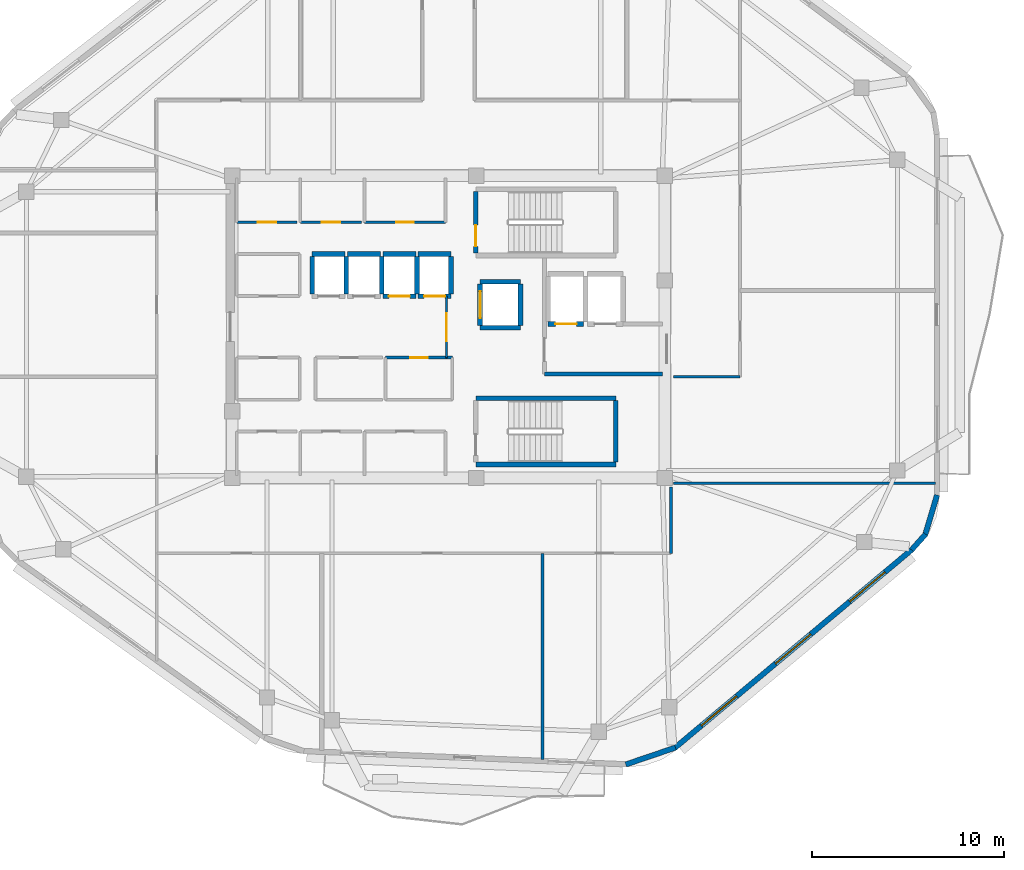
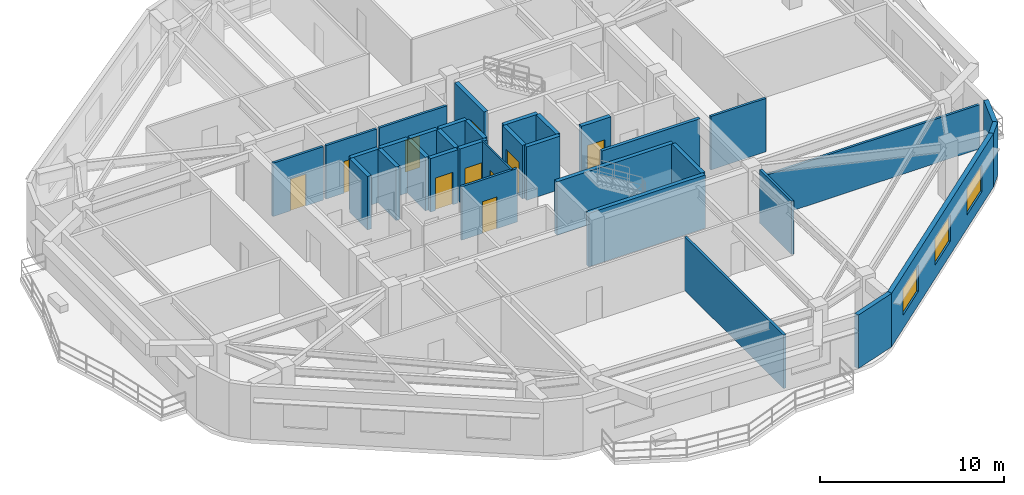
# One storey, part 7 of 12: 34 walls, 10 doors, 3 windows, 13 openings.
"""IFC4 building model written with IfcOpenShell, lengths in metres."""

from ifc_helpers import new_model, si_unit, direction, frame, frame_2d, origin, place, context, subcontext, project, spatial, rectangle, extrude, material, layer, layer_set, type_object, element, fill, save


model = new_model("IFC4")

# Units and contexts
model_context = context("Model", 3, precision=1e-05, world=origin(), true_north=direction((0.0, 1.0)))
body_context = subcontext(model_context, "Body", "Model", "MODEL_VIEW")
ifc_project = project(units=[si_unit("LENGTHUNIT", "METRE"), si_unit("AREAUNIT", "SQUARE_METRE"), si_unit("VOLUMEUNIT", "CUBIC_METRE"), si_unit("PLANEANGLEUNIT", "RADIAN"), si_unit("MASSUNIT", "GRAM", prefix="KILO")], contexts=[model_context])

# Site, building, storey
site_placement = place(None, origin())
site = spatial("IfcSite", under=ifc_project, at=site_placement, CompositionType="ELEMENT")
building_placement = place(site_placement, origin())
building = spatial("IfcBuilding", under=site, at=building_placement, Name="Zulverin Broadcast Headquarters", CompositionType="ELEMENT")
storey_placement = place(building_placement, frame((0.0, 0.0, 285.800048828125)))
storey = spatial("IfcBuildingStorey", under=building, at=storey_placement, Name="L73", CompositionType="ELEMENT", Elevation=285.800048828125)

# Wall, openings, windows
ifc_material_1 = material(Name="Insulated pale-metal clad concrete spandrel C40/50", Category="concrete")
ifc_layer_1 = layer(ifc_material_1, 0.280029296875, Name="Insulated pale-metal clad concrete spandrel C40/50", Category="concrete")
ifc_layer_set_1 = layer_set([ifc_layer_1], Name="Insulated pale-metal clad concrete spandrel C40/50")
wall_type_1 = type_object("IfcWallType", Name="WL-EXT-280", PredefinedType="STANDARD", material=ifc_layer_set_1)
wall_1_placement = place(storey_placement, frame((48.788818359375, 3.249755859375, 0.0), z_axis=(0.0, 0.0, 1.0), x_axis=(0.767032672101, 0.641608042288, 0.0)))
wall_1 = element("IfcWall", 1, at=wall_1_placement, inside=storey, type_object=wall_type_1, Name="L73 Pale-Metal Clad Spandrel Wall 2", PredefinedType="STANDARD", context=body_context, shape_type="SweptSolid", body=[
    extrude(rectangle(XDim=16.11328125, YDim=0.280029296875, at=frame_2d((8.056640625, 0.0))), origin(), (0.0, 0.0, 1.0), 3.5400390625),
])
opening_1_placement = place(wall_1_placement, frame((1.81884765625, 0.0, 0.89990234375)))
opening_1 = element("IfcOpeningElement", 2, at=opening_1_placement, cuts=wall_1, Name="Opening W-L73-E21", PredefinedType="OPENING", context=body_context, shape_type="SweptSolid", body=[
    extrude(rectangle(XDim=2.39990234375, YDim=1.75, at=frame_2d((1.199951171875, 0.875))), frame((0.0, 0.14990234375, 0.0), z_axis=(0.0, -1.0, 0.0), x_axis=(1.0, 0.0, 0.0)), (0.0, 0.0, 1.0), 0.300048828125),
])
opening_2_placement = place(wall_1_placement, frame((6.856689453125, 0.0, 0.89990234375)))
opening_2 = element("IfcOpeningElement", 3, at=opening_2_placement, cuts=wall_1, Name="Opening W-L73-E22", PredefinedType="OPENING", context=body_context, shape_type="SweptSolid", body=[
    extrude(rectangle(XDim=2.39990234375, YDim=1.75, at=frame_2d((1.199951171875, 0.875))), frame((0.0, 0.14990234375, 0.0), z_axis=(0.0, -1.0, 0.0), x_axis=(1.0, 0.0, 0.0)), (0.0, 0.0, 1.0), 0.300048828125),
])
opening_3_placement = place(wall_1_placement, frame((11.89453125, 0.0, 0.89990234375)))
opening_3 = element("IfcOpeningElement", 4, at=opening_3_placement, cuts=wall_1, Name="Opening W-L73-E23", PredefinedType="OPENING", context=body_context, shape_type="SweptSolid", body=[
    extrude(rectangle(XDim=2.39990234375, YDim=1.75, at=frame_2d((1.199951171875, 0.875))), frame((0.0, 0.14990234375, 0.0), z_axis=(0.0, -1.0, 0.0), x_axis=(1.0, 0.0, 0.0)), (0.0, 0.0, 1.0), 0.300048828125),
])
ifc_material_2 = material(Name="Pale anodized aluminium frame with solar-control low-E double glazing", Category="aluminium")
window_type = type_object("IfcWindowType", Name="WIN-RIB-2400", PartitioningType="SINGLE_PANEL", PredefinedType="WINDOW", material=ifc_material_2)
window_1_placement = place(opening_1_placement, origin())
window_1 = element("IfcWindow", 5, at=window_1_placement, inside=storey, type_object=window_type, Name="L73 Ribbon Glazing Window 2 1", OverallHeight=1.75, OverallWidth=2.39990234375, PartitioningType="SINGLE_PANEL", PredefinedType="WINDOW", context=body_context, shape_type="SweptSolid", body=[
    extrude(rectangle(XDim=2.39990234375, YDim=1.75, at=frame_2d((1.199951171875, 0.875))), frame((0.0, 0.030029296875, 0.0), z_axis=(0.0, -1.0, 0.0), x_axis=(1.0, 0.0, 0.0)), (0.0, 0.0, 1.0), 0.06005859375),
])
fill(opening_1, window_1)
window_2_placement = place(opening_2_placement, origin())
window_2 = element("IfcWindow", 6, at=window_2_placement, inside=storey, type_object=window_type, Name="L73 Ribbon Glazing Window 2 2", OverallHeight=1.75, OverallWidth=2.39990234375, PartitioningType="SINGLE_PANEL", PredefinedType="WINDOW", context=body_context, shape_type="SweptSolid", body=[
    extrude(rectangle(XDim=2.39990234375, YDim=1.75, at=frame_2d((1.199951171875, 0.875))), frame((0.0, 0.030029296875, 0.0), z_axis=(0.0, -1.0, 0.0), x_axis=(1.0, 0.0, 0.0)), (0.0, 0.0, 1.0), 0.06005859375),
])
fill(opening_2, window_2)
window_3_placement = place(opening_3_placement, origin())
window_3 = element("IfcWindow", 7, at=window_3_placement, inside=storey, type_object=window_type, Name="L73 Ribbon Glazing Window 2 3", OverallHeight=1.75, OverallWidth=2.39990234375, PartitioningType="SINGLE_PANEL", PredefinedType="WINDOW", context=body_context, shape_type="SweptSolid", body=[
    extrude(rectangle(XDim=2.39990234375, YDim=1.75, at=frame_2d((1.199951171875, 0.875))), frame((0.0, 0.030029296875, 0.0), z_axis=(0.0, -1.0, 0.0), x_axis=(1.0, 0.0, 0.0)), (0.0, 0.0, 1.0), 0.06005859375),
])
fill(opening_3, window_3)

# Walls
wall_2_placement = place(storey_placement, frame((46.239501953125, 2.392822265625, 0.0), z_axis=(0.0, 0.0, 1.0), x_axis=(0.946759165502, 0.321942669643, 0.0)))
element("IfcWall", 8, at=wall_2_placement, inside=storey, type_object=wall_type_1, Name="L73 Wind-Shaped Corner Spandrel Wall 1-1", PredefinedType="STANDARD", context=body_context, shape_type="SweptSolid", body=[
    extrude(rectangle(XDim=2.73974609375, YDim=0.280029296875, at=frame_2d((1.369873046875, 0.0))), origin(), (0.0, 0.0, 1.0), 3.5400390625),
])
wall_3_placement = place(storey_placement, frame((61.133544921875, 13.573974609375, 0.0), z_axis=(0.0, 0.0, 1.0), x_axis=(0.665804679247, 0.74612608123, 0.0)))
element("IfcWall", 9, at=wall_3_placement, inside=storey, type_object=wall_type_1, Name="L73 Wind-Shaped Corner Spandrel Wall 2-1", PredefinedType="STANDARD", context=body_context, shape_type="SweptSolid", body=[
    extrude(rectangle(XDim=1.103271484375, YDim=0.280029296875, at=frame_2d((0.5517578125, 0.0))), origin(), (0.0, 0.0, 1.0), 3.5400390625),
])
wall_4_placement = place(storey_placement, frame((61.838623046875, 14.34423828125, 0.0), z_axis=(0.0, 0.0, 1.0), x_axis=(0.287235049694, 0.957860128739, 0.0)))
element("IfcWall", 10, at=wall_4_placement, inside=storey, type_object=wall_type_1, Name="L73 Wind-Shaped Corner Spandrel Wall 2-2", PredefinedType="STANDARD", context=body_context, shape_type="SweptSolid", body=[
    extrude(rectangle(XDim=2.18359375, YDim=0.280029296875, at=frame_2d((1.091796875, 0.0))), origin(), (0.0, 0.0, 1.0), 3.5400390625),
])
ifc_material_3 = material(Name="Concrete C40/50", Category="concrete")
ifc_layer_2 = layer(ifc_material_3, 0.199951171875, Name="Concrete C40/50", Category="concrete")
ifc_layer_set_2 = layer_set([ifc_layer_2], Name="Concrete C40/50")
wall_type_2 = type_object("IfcWallType", Name="WL-FFL-200", PredefinedType="SOLIDWALL", material=ifc_layer_set_2)
wall_5_placement = place(storey_placement, frame((42.0, 22.75, 0.0), z_axis=(0.0, 0.0, 1.0), x_axis=(1.0, 0.0, 0.0)))
element("IfcWall", 11, at=wall_5_placement, inside=storey, type_object=wall_type_2, Name="L73 Firefighting Lift Lobby South Wall", PredefinedType="SOLIDWALL", context=body_context, shape_type="SweptSolid", body=[
    extrude(rectangle(XDim=6.14990234375, YDim=0.199951171875, at=frame_2d((3.074951171875, 0.0))), origin(), (0.0, 0.0, 1.0), 3.5400390625),
])

# Wall, opening, door
ifc_material_4 = material(Name="Fire-rated acoustic laminated glass screen", Category="glass")
ifc_layer_3 = layer(ifc_material_4, 0.10009765625, Name="Fire-rated acoustic laminated glass screen", Category="glass")
ifc_layer_set_3 = layer_set([ifc_layer_3], Name="Fire-rated acoustic laminated glass screen")
wall_type_3 = type_object("IfcWallType", Name="WL-GLAZ-100", PredefinedType="PARTITIONING", material=ifc_layer_set_3)
wall_6_placement = place(storey_placement, frame((36.89990234375, 23.60009765625, 0.0), z_axis=(0.0, 0.0, 1.0), x_axis=(0.0, 1.0, 0.0)))
wall_6 = element("IfcWall", 12, at=wall_6_placement, inside=storey, type_object=wall_type_3, Name="L73 Core Goods & Stair Hall Screen", PredefinedType="PARTITIONING", context=body_context, shape_type="SweptSolid", body=[
    extrude(rectangle(XDim=3.199951171875, YDim=0.10009765625, at=frame_2d((1.60009765625, 0.0))), origin(), (0.0, 0.0, 1.0), 3.5400390625),
])
opening_4_placement = place(wall_6_placement, frame((0.85009765625, 0.0, 0.0)))
opening_4 = element("IfcOpeningElement", 13, at=opening_4_placement, cuts=wall_6, Name="Opening D-L73-CL3", PredefinedType="OPENING", context=body_context, shape_type="SweptSolid", body=[
    extrude(rectangle(XDim=1.449951171875, YDim=2.1201171875, at=frame_2d((0.72509765625, 1.06005859375))), frame((0.0, 0.06005859375, 0.0), z_axis=(0.0, -1.0, 0.0), x_axis=(1.0, 0.0, 0.0)), (0.0, 0.0, 1.0), 0.1201171875),
])
ifc_material_5 = material(Name="Fire-rated acoustic glazed double leaf", Category="glass")
door_type_1 = type_object("IfcDoorType", Name="DR-GLZ-1450", OperationType="DOUBLE_DOOR_SINGLE_SWING", PredefinedType="DOOR", material=ifc_material_5)
door_1_placement = place(opening_4_placement, origin())
door_1 = element("IfcDoor", 14, at=door_1_placement, inside=storey, type_object=door_type_1, Name="L73 Core Goods & Stair Hall Door", OperationType="DOUBLE_DOOR_SINGLE_SWING", OverallHeight=2.1201171875, OverallWidth=1.449951171875, PredefinedType="DOOR", context=body_context, shape_type="SweptSolid", body=[
    extrude(rectangle(XDim=1.449951171875, YDim=2.1201171875, at=frame_2d((0.72509765625, 1.06005859375))), frame((0.0, 0.02490234375, 0.0), z_axis=(0.0, -1.0, 0.0), x_axis=(1.0, 0.0, 0.0)), (0.0, 0.0, 1.0), 0.050048828125),
])
fill(opening_4, door_1)

ifc_material_6 = material(Name="Fire-rated gypsum stud partition", Category="gypsum")
ifc_layer_4 = layer(ifc_material_6, 0.14990234375, Name="Fire-rated gypsum stud partition", Category="gypsum")
ifc_layer_set_4 = layer_set([ifc_layer_4], Name="Fire-rated gypsum stud partition")
wall_type_4 = type_object("IfcWallType", Name="WL-PART-150", PredefinedType="PARTITIONING", material=ifc_layer_set_4)
wall_7_placement = place(storey_placement, frame((25.969970703125, 30.64990234375, 0.0), z_axis=(0.0, 0.0, 1.0), x_axis=(1.0, 0.0, 0.0)))
wall_7 = element("IfcWall", 15, at=wall_7_placement, inside=storey, type_object=wall_type_4, Name="L73 Core Male WC Front Wall", PredefinedType="PARTITIONING", context=body_context, shape_type="SweptSolid", body=[
    extrude(rectangle(XDim=3.150146484375, YDim=0.14990234375, at=frame_2d((1.5751953125, 0.0))), origin(), (0.0, 0.0, 1.0), 3.5400390625),
])
opening_5_placement = place(wall_7_placement, frame((1.10009765625, 0.0, 0.0)))
opening_5 = element("IfcOpeningElement", 16, at=opening_5_placement, cuts=wall_7, Name="Opening D-L73-NC1", PredefinedType="OPENING", context=body_context, shape_type="SweptSolid", body=[
    extrude(rectangle(XDim=0.949951171875, YDim=2.10009765625, at=frame_2d((0.47509765625, 1.050048828125))), frame((0.0, 0.0849609375, 0.0), z_axis=(0.0, -1.0, 0.0), x_axis=(1.0, 0.0, 0.0)), (0.0, 0.0, 1.0), 0.169921875),
])
ifc_material_7 = material(Name="Fire-rated moisture-resistant laminate leaf", Category="wood")
door_type_2 = type_object("IfcDoorType", Name="DR-WC-950", OperationType="SINGLE_SWING_LEFT", PredefinedType="DOOR", material=ifc_material_7)
door_2_placement = place(opening_5_placement, origin())
door_2 = element("IfcDoor", 17, at=door_2_placement, inside=storey, type_object=door_type_2, Name="L73 Male WC Door", OperationType="SINGLE_SWING_LEFT", OverallHeight=2.10009765625, OverallWidth=0.949951171875, PredefinedType="DOOR", context=body_context, shape_type="SweptSolid", body=[
    extrude(rectangle(XDim=0.949951171875, YDim=2.10009765625, at=frame_2d((0.47509765625, 1.050048828125))), frame((0.0, 0.02490234375, 0.0), z_axis=(0.0, -1.0, 0.0), x_axis=(1.0, 0.0, 0.0)), (0.0, 0.0, 1.0), 0.050048828125),
])
fill(opening_5, door_2)

wall_8_placement = place(storey_placement, frame((29.280029296875, 30.64990234375, 0.0), z_axis=(0.0, 0.0, 1.0), x_axis=(1.0, 0.0, 0.0)))
wall_8 = element("IfcWall", 18, at=wall_8_placement, inside=storey, type_object=wall_type_4, Name="L73 Core Accessible WC Front Wall", PredefinedType="PARTITIONING", context=body_context, shape_type="SweptSolid", body=[
    extrude(rectangle(XDim=3.18994140625, YDim=0.14990234375, at=frame_2d((1.594970703125, 0.0))), origin(), (0.0, 0.0, 1.0), 3.5400390625),
])
opening_6_placement = place(wall_8_placement, frame((1.1201171875, 0.0, 0.0)))
opening_6 = element("IfcOpeningElement", 19, at=opening_6_placement, cuts=wall_8, Name="Opening D-L73-NC2", PredefinedType="OPENING", context=body_context, shape_type="SweptSolid", body=[
    extrude(rectangle(XDim=0.949951171875, YDim=2.10009765625, at=frame_2d((0.47509765625, 1.050048828125))), frame((0.0, 0.0849609375, 0.0), z_axis=(0.0, -1.0, 0.0), x_axis=(1.0, 0.0, 0.0)), (0.0, 0.0, 1.0), 0.169921875),
])
door_3_placement = place(opening_6_placement, origin())
door_3 = element("IfcDoor", 20, at=door_3_placement, inside=storey, type_object=door_type_2, Name="L73 Accessible WC Door", OperationType="SINGLE_SWING_RIGHT", OverallHeight=2.10009765625, OverallWidth=0.949951171875, PredefinedType="DOOR", context=body_context, shape_type="SweptSolid", body=[
    extrude(rectangle(XDim=0.949951171875, YDim=2.10009765625, at=frame_2d((0.47509765625, 1.050048828125))), frame((0.0, 0.02490234375, 0.0), z_axis=(0.0, -1.0, 0.0), x_axis=(1.0, 0.0, 0.0)), (0.0, 0.0, 1.0), 0.050048828125),
])
fill(opening_6, door_3)

wall_9_placement = place(storey_placement, frame((32.6298828125, 30.64990234375, 0.0), z_axis=(0.0, 0.0, 1.0), x_axis=(1.0, 0.0, 0.0)))
wall_9 = element("IfcWall", 21, at=wall_9_placement, inside=storey, type_object=wall_type_4, Name="L73 Core Electrical Distribution Riser Front Wall", PredefinedType="PARTITIONING", context=body_context, shape_type="SweptSolid", body=[
    extrude(rectangle(XDim=4.22021484375, YDim=0.14990234375, at=frame_2d((2.110107421875, 0.0))), origin(), (0.0, 0.0, 1.0), 3.5400390625),
])
opening_7_placement = place(wall_9_placement, frame((1.659912109375, 0.0, 0.0)))
opening_7 = element("IfcOpeningElement", 22, at=opening_7_placement, cuts=wall_9, Name="Opening D-L73-NC3", PredefinedType="OPENING", context=body_context, shape_type="SweptSolid", body=[
    extrude(rectangle(XDim=0.89990234375, YDim=2.10009765625, at=frame_2d((0.449951171875, 1.050048828125))), frame((0.0, 0.0849609375, 0.0), z_axis=(0.0, -1.0, 0.0), x_axis=(1.0, 0.0, 0.0)), (0.0, 0.0, 1.0), 0.169921875),
])
ifc_material_8 = material(Name="Powder-coated steel access leaf", Category="steel")
door_type_3 = type_object("IfcDoorType", Name="DR-RISER-900", OperationType="SINGLE_SWING_LEFT", PredefinedType="DOOR", material=ifc_material_8)
door_4_placement = place(opening_7_placement, origin())
door_4 = element("IfcDoor", 23, at=door_4_placement, inside=storey, type_object=door_type_3, Name="L73 Electrical Distribution Riser Door", OperationType="SINGLE_SWING_LEFT", OverallHeight=2.10009765625, OverallWidth=0.89990234375, PredefinedType="DOOR", context=body_context, shape_type="SweptSolid", body=[
    extrude(rectangle(XDim=0.89990234375, YDim=2.10009765625, at=frame_2d((0.449951171875, 1.050048828125))), frame((0.0, 0.02490234375, 0.0), z_axis=(0.0, -1.0, 0.0), x_axis=(1.0, 0.0, 0.0)), (0.0, 0.0, 1.0), 0.050048828125),
])
fill(opening_7, door_4)

wall_10_placement = place(storey_placement, frame((33.719970703125, 23.60009765625, 0.0), z_axis=(0.0, 0.0, 1.0), x_axis=(1.0, 0.0, 0.0)))
wall_10 = element("IfcWall", 24, at=wall_10_placement, inside=storey, type_object=wall_type_4, Name="L73 Executive Floor Pantry Store N Wall", PredefinedType="PARTITIONING", context=body_context, shape_type="SweptSolid", body=[
    extrude(rectangle(XDim=3.47998046875, YDim=0.14990234375, at=frame_2d((1.739990234375, 0.0))), origin(), (0.0, 0.0, 1.0), 3.5400390625),
])
opening_8_placement = place(wall_10_placement, frame((1.2900390625, 0.0, 0.0)))
opening_8 = element("IfcOpeningElement", 25, at=opening_8_placement, cuts=wall_10, Name="Opening D-L73-RM2", PredefinedType="OPENING", context=body_context, shape_type="SweptSolid", body=[
    extrude(rectangle(XDim=0.89990234375, YDim=2.10009765625, at=frame_2d((0.449951171875, 1.050048828125))), frame((0.0, 0.0849609375, 0.0), z_axis=(0.0, -1.0, 0.0), x_axis=(1.0, 0.0, 0.0)), (0.0, 0.0, 1.0), 0.169921875),
])
door_5_placement = place(opening_8_placement, origin())
door_5 = element("IfcDoor", 26, at=door_5_placement, inside=storey, type_object=door_type_3, Name="L73 Executive Floor Pantry Store Door", OperationType="SINGLE_SWING_RIGHT", OverallHeight=2.10009765625, OverallWidth=0.89990234375, PredefinedType="DOOR", context=body_context, shape_type="SweptSolid", body=[
    extrude(rectangle(XDim=0.89990234375, YDim=2.10009765625, at=frame_2d((0.449951171875, 1.050048828125))), frame((0.0, 0.02490234375, 0.0), z_axis=(0.0, -1.0, 0.0), x_axis=(1.0, 0.0, 0.0)), (0.0, 0.0, 1.0), 0.050048828125),
])
fill(opening_8, door_5)

# Walls
wall_11_placement = place(storey_placement, frame((48.60009765625, 13.39990234375, 0.0), z_axis=(0.0, 0.0, 1.0), x_axis=(0.0, 1.0, 0.0)))
element("IfcWall", 27, at=wall_11_placement, inside=storey, type_object=wall_type_4, Name="L73 Gallery Partition Wall CG-02", PredefinedType="PARTITIONING", context=body_context, shape_type="SweptSolid", body=[
    extrude(rectangle(XDim=3.460205078125, YDim=0.14990234375, at=frame_2d((1.72998046875, 0.0))), origin(), (0.0, 0.0, 1.0), 3.5400390625),
])
wall_12_placement = place(storey_placement, frame((41.89990234375, 2.6455078125, 0.0), z_axis=(0.0, 0.0, 1.0), x_axis=(0.0, 1.0, 0.0)))
element("IfcWall", 28, at=wall_12_placement, inside=storey, type_object=wall_type_4, Name="L73 Room Partition Wall RP-04", PredefinedType="PARTITIONING", context=body_context, shape_type="SweptSolid", body=[
    extrude(rectangle(XDim=10.75439453125, YDim=0.14990234375, at=frame_2d((5.377197265625, 0.0))), origin(), (0.0, 0.0, 1.0), 3.5400390625),
])
wall_13_placement = place(storey_placement, frame((48.739990234375, 17.050048828125, 0.0), z_axis=(0.0, 0.0, 1.0), x_axis=(1.0, 0.0, 0.0)))
element("IfcWall", 29, at=wall_13_placement, inside=storey, type_object=wall_type_4, Name="L73 Room Partition Wall RP-11", PredefinedType="PARTITIONING", context=body_context, shape_type="SweptSolid", body=[
    extrude(rectangle(XDim=13.655029296875, YDim=0.14990234375, at=frame_2d((6.82763671875, 0.0))), origin(), (0.0, 0.0, 1.0), 2.9228515625),
])
wall_14_placement = place(storey_placement, frame((48.739990234375, 22.60009765625, 0.0), z_axis=(0.0, 0.0, 1.0), x_axis=(1.0, 0.0, 0.0)))
element("IfcWall", 30, at=wall_14_placement, inside=storey, type_object=wall_type_4, Name="L73 Gallery Partition Wall CG-13", PredefinedType="PARTITIONING", context=body_context, shape_type="SweptSolid", body=[
    extrude(rectangle(XDim=3.4599609375, YDim=0.14990234375, at=frame_2d((1.72998046875, 0.0))), origin(), (0.0, 0.0, 1.0), 3.5400390625),
])

# Wall, opening, door
ifc_material_9 = material(Name="Concrete C50/60", Category="concrete")
ifc_layer_5 = layer(ifc_material_9, 0.25, Name="Concrete C50/60", Category="concrete")
ifc_layer_set_5 = layer_set([ifc_layer_5], Name="Concrete C50/60")
wall_type_5 = type_object("IfcWallType", Name="WL-SHAFT-250", PredefinedType="SHEAR", material=ifc_layer_set_5)
wall_15_placement = place(storey_placement, frame((38.425048828125, 29.050048828125, 0.0), z_axis=(0.0, 0.0, 1.0), x_axis=(0.0, 1.0, 0.0)))
wall_15 = element("IfcWall", 31, at=wall_15_placement, inside=storey, type_object=wall_type_5, Name="L73 ST-1 Enclosure Wall W", PredefinedType="SHEAR", context=body_context, shape_type="SweptSolid", body=[
    extrude(rectangle(XDim=3.199951171875, YDim=0.25, at=frame_2d((1.60009765625, 0.0))), origin(), (0.0, 0.0, 1.0), 3.5400390625),
])
opening_9_placement = place(wall_15_placement, frame((0.35009765625, 0.0, 0.0)))
opening_9 = element("IfcOpeningElement", 32, at=opening_9_placement, cuts=wall_15, Name="Opening D-L73-ST-1", PredefinedType="OPENING", context=body_context, shape_type="SweptSolid", body=[
    extrude(rectangle(XDim=1.10009765625, YDim=2.14990234375, at=frame_2d((0.550048828125, 1.074951171875))), frame((0.0, 0.135009765625, 0.0), z_axis=(0.0, -1.0, 0.0), x_axis=(1.0, 0.0, 0.0)), (0.0, 0.0, 1.0), 0.27001953125),
])
ifc_material_10 = material(Name="Fire-rated steel leaf and frame", Category="steel")
door_type_4 = type_object("IfcDoorType", Name="DR-STAIR-1100", OperationType="SINGLE_SWING_LEFT", PredefinedType="DOOR", material=ifc_material_10)
door_6_placement = place(opening_9_placement, origin())
door_6 = element("IfcDoor", 33, at=door_6_placement, inside=storey, type_object=door_type_4, Name="L73 Exit Stair ST-1 Fire Door", OperationType="SINGLE_SWING_LEFT", OverallHeight=2.14990234375, OverallWidth=1.10009765625, PredefinedType="DOOR", context=body_context, shape_type="SweptSolid", body=[
    extrude(rectangle(XDim=1.10009765625, YDim=2.14990234375, at=frame_2d((0.550048828125, 1.074951171875))), frame((0.0, 0.02490234375, 0.0), z_axis=(0.0, -1.0, 0.0), x_axis=(1.0, 0.0, 0.0)), (0.0, 0.0, 1.0), 0.050048828125),
])
fill(opening_9, door_6)

# Walls
for number, where, z_axis, x_axis, name in (
    (34, (38.425048828125, 18.02490234375, 0.0), (0.0, 0.0, 1.0), (1.0, 0.0, 0.0), "L73 ST-2 Enclosure Wall S"),
    (35, (38.425048828125, 21.47509765625, 0.0), (0.0, 0.0, 1.0), (1.0, 0.0, 0.0), "L73 ST-2 Enclosure Wall N"),
):
    element("IfcWall", number, at=place(storey_placement, frame(where, z_axis=z_axis, x_axis=x_axis)), inside=storey, type_object=wall_type_5, Name=name, PredefinedType="SHEAR", context=body_context, shape_type="SweptSolid", body=[
        extrude(rectangle(XDim=7.300048828125, YDim=0.25, at=frame_2d((3.64990234375, 0.0))), origin(), (0.0, 0.0, 1.0), 3.5400390625),
    ])
wall_16_placement = place(storey_placement, frame((45.72509765625, 18.14990234375, 0.0), z_axis=(0.0, 0.0, 1.0), x_axis=(0.0, 1.0, 0.0)))
element("IfcWall", 36, at=wall_16_placement, inside=storey, type_object=wall_type_5, Name="L73 ST-2 Enclosure Wall E", PredefinedType="SHEAR", context=body_context, shape_type="SweptSolid", body=[
    extrude(rectangle(XDim=3.2001953125, YDim=0.25, at=frame_2d((1.60009765625, 0.0))), origin(), (0.0, 0.0, 1.0), 3.5400390625),
])
wall_17_placement = place(storey_placement, frame((29.89990234375, 29.0, 0.0), z_axis=(0.0, 0.0, 1.0), x_axis=(1.0, 0.0, 0.0)))
element("IfcWall", 37, at=wall_17_placement, inside=storey, type_object=wall_type_5, Name="L73 Lift PL-H1 Shaft Wall N", PredefinedType="SHEAR", context=body_context, shape_type="SweptSolid", body=[
    extrude(rectangle(XDim=1.72021484375, YDim=0.25, at=frame_2d((0.860107421875, 0.0))), origin(), (0.0, 0.0, 1.0), 3.5400390625),
])
for number, where, z_axis, x_axis, name in (
    (38, (29.89990234375, 26.919921875, 0.0), (0.0, 0.0, 1.0), (0.0, 1.0, 0.0), "L73 Lift PL-H1 Shaft Wall W"),
    (39, (31.679931640625, 26.919921875, 0.0), (0.0, 0.0, 1.0), (0.0, 1.0, 0.0), "L73 Lift PL-H1 Shaft Wall E"),
):
    element("IfcWall", number, at=place(storey_placement, frame(where, z_axis=z_axis, x_axis=x_axis)), inside=storey, type_object=wall_type_5, Name=name, PredefinedType="SHEAR", context=body_context, shape_type="SweptSolid", body=[
        extrude(rectangle(XDim=1.9599609375, YDim=0.25, at=frame_2d((0.97998046875, 0.0))), origin(), (0.0, 0.0, 1.0), 3.5400390625),
    ])
wall_18_placement = place(storey_placement, frame((31.739990234375, 29.0, 0.0), z_axis=(0.0, 0.0, 1.0), x_axis=(1.0, 0.0, 0.0)))
element("IfcWall", 40, at=wall_18_placement, inside=storey, type_object=wall_type_5, Name="L73 Lift PL-H2 Shaft Wall N", PredefinedType="SHEAR", context=body_context, shape_type="SweptSolid", body=[
    extrude(rectangle(XDim=1.719970703125, YDim=0.25, at=frame_2d((0.85986328125, 0.0))), origin(), (0.0, 0.0, 1.0), 3.5400390625),
])
wall_19_placement = place(storey_placement, frame((33.52001953125, 26.919921875, 0.0), z_axis=(0.0, 0.0, 1.0), x_axis=(0.0, 1.0, 0.0)))
element("IfcWall", 41, at=wall_19_placement, inside=storey, type_object=wall_type_5, Name="L73 Lift PL-H2 Shaft Wall E", PredefinedType="SHEAR", context=body_context, shape_type="SweptSolid", body=[
    extrude(rectangle(XDim=1.9599609375, YDim=0.25, at=frame_2d((0.97998046875, 0.0))), origin(), (0.0, 0.0, 1.0), 3.5400390625),
])

# Wall, opening, door
wall_20_placement = place(storey_placement, frame((33.580078125, 26.800048828125, 0.0), z_axis=(0.0, 0.0, 1.0), x_axis=(1.0, 0.0, 0.0)))
wall_20 = element("IfcWall", 42, at=wall_20_placement, inside=storey, type_object=wall_type_5, Name="L73 Lift PL-H3 Shaft Wall S", PredefinedType="SHEAR", context=body_context, shape_type="SweptSolid", body=[
    extrude(rectangle(XDim=1.719970703125, YDim=0.25, at=frame_2d((0.85986328125, 0.0))), origin(), (0.0, 0.0, 1.0), 3.5400390625),
])
opening_10_placement = place(wall_20_placement, frame((0.31005859375, 0.0, 0.0)))
opening_10 = element("IfcOpeningElement", 43, at=opening_10_placement, cuts=wall_20, Name="Opening LD-PL-H3-L73", PredefinedType="OPENING", context=body_context, shape_type="SweptSolid", body=[
    extrude(rectangle(XDim=1.10009765625, YDim=2.14990234375, at=frame_2d((0.550048828125, 1.074951171875))), frame((0.0, 0.135009765625, 0.0), z_axis=(0.0, -1.0, 0.0), x_axis=(1.0, 0.0, 0.0)), (0.0, 0.0, 1.0), 0.27001953125),
])
ifc_material_11 = material(Name="Brushed stainless steel landing", Category="steel")
door_type_5 = type_object("IfcDoorType", Name="LD-PASS-1100", OperationType="DOUBLE_DOOR_SLIDING", PredefinedType="DOOR", material=ifc_material_11)
door_7_placement = place(opening_10_placement, origin())
door_7 = element("IfcDoor", 44, at=door_7_placement, inside=storey, type_object=door_type_5, Name="L73 Lift PL-H3 Sliding Landing Door", OperationType="DOUBLE_DOOR_SLIDING", OverallHeight=2.14990234375, OverallWidth=1.10009765625, PredefinedType="DOOR", context=body_context, shape_type="SweptSolid", body=[
    extrude(rectangle(XDim=1.10009765625, YDim=2.14990234375, at=frame_2d((0.550048828125, 1.074951171875))), frame((0.0, 0.02490234375, 0.0), z_axis=(0.0, -1.0, 0.0), x_axis=(1.0, 0.0, 0.0)), (0.0, 0.0, 1.0), 0.050048828125),
])
fill(opening_10, door_7)

# Walls
wall_21_placement = place(storey_placement, frame((33.580078125, 29.0, 0.0), z_axis=(0.0, 0.0, 1.0), x_axis=(1.0, 0.0, 0.0)))
element("IfcWall", 45, at=wall_21_placement, inside=storey, type_object=wall_type_5, Name="L73 Lift PL-H3 Shaft Wall N", PredefinedType="SHEAR", context=body_context, shape_type="SweptSolid", body=[
    extrude(rectangle(XDim=1.719970703125, YDim=0.25, at=frame_2d((0.85986328125, 0.0))), origin(), (0.0, 0.0, 1.0), 3.5400390625),
])
wall_22_placement = place(storey_placement, frame((35.360107421875, 26.919921875, 0.0), z_axis=(0.0, 0.0, 1.0), x_axis=(0.0, 1.0, 0.0)))
element("IfcWall", 46, at=wall_22_placement, inside=storey, type_object=wall_type_5, Name="L73 Lift PL-H3 Shaft Wall E", PredefinedType="SHEAR", context=body_context, shape_type="SweptSolid", body=[
    extrude(rectangle(XDim=1.9599609375, YDim=0.25, at=frame_2d((0.97998046875, 0.0))), origin(), (0.0, 0.0, 1.0), 3.5400390625),
])

# Wall, opening, door
wall_23_placement = place(storey_placement, frame((35.419921875, 26.800048828125, 0.0), z_axis=(0.0, 0.0, 1.0), x_axis=(1.0, 0.0, 0.0)))
wall_23 = element("IfcWall", 47, at=wall_23_placement, inside=storey, type_object=wall_type_5, Name="L73 Lift PL-H4 Shaft Wall S", PredefinedType="SHEAR", context=body_context, shape_type="SweptSolid", body=[
    extrude(rectangle(XDim=1.719970703125, YDim=0.25, at=frame_2d((0.85986328125, 0.0))), origin(), (0.0, 0.0, 1.0), 3.5400390625),
])
opening_11_placement = place(wall_23_placement, frame((0.31005859375, 0.0, 0.0)))
opening_11 = element("IfcOpeningElement", 48, at=opening_11_placement, cuts=wall_23, Name="Opening LD-PL-H4-L73", PredefinedType="OPENING", context=body_context, shape_type="SweptSolid", body=[
    extrude(rectangle(XDim=1.10009765625, YDim=2.14990234375, at=frame_2d((0.550048828125, 1.074951171875))), frame((0.0, 0.135009765625, 0.0), z_axis=(0.0, -1.0, 0.0), x_axis=(1.0, 0.0, 0.0)), (0.0, 0.0, 1.0), 0.27001953125),
])
door_8_placement = place(opening_11_placement, origin())
door_8 = element("IfcDoor", 49, at=door_8_placement, inside=storey, type_object=door_type_5, Name="L73 Lift PL-H4 Sliding Landing Door", OperationType="DOUBLE_DOOR_SLIDING", OverallHeight=2.14990234375, OverallWidth=1.10009765625, PredefinedType="DOOR", context=body_context, shape_type="SweptSolid", body=[
    extrude(rectangle(XDim=1.10009765625, YDim=2.14990234375, at=frame_2d((0.550048828125, 1.074951171875))), frame((0.0, 0.02490234375, 0.0), z_axis=(0.0, -1.0, 0.0), x_axis=(1.0, 0.0, 0.0)), (0.0, 0.0, 1.0), 0.050048828125),
])
fill(opening_11, door_8)

# Walls
wall_24_placement = place(storey_placement, frame((35.419921875, 29.0, 0.0), z_axis=(0.0, 0.0, 1.0), x_axis=(1.0, 0.0, 0.0)))
element("IfcWall", 50, at=wall_24_placement, inside=storey, type_object=wall_type_5, Name="L73 Lift PL-H4 Shaft Wall N", PredefinedType="SHEAR", context=body_context, shape_type="SweptSolid", body=[
    extrude(rectangle(XDim=1.719970703125, YDim=0.25, at=frame_2d((0.85986328125, 0.0))), origin(), (0.0, 0.0, 1.0), 3.5400390625),
])
wall_25_placement = place(storey_placement, frame((37.139892578125, 26.919921875, 0.0), z_axis=(0.0, 0.0, 1.0), x_axis=(0.0, 1.0, 0.0)))
element("IfcWall", 51, at=wall_25_placement, inside=storey, type_object=wall_type_5, Name="L73 Lift PL-H4 Shaft Wall E", PredefinedType="SHEAR", context=body_context, shape_type="SweptSolid", body=[
    extrude(rectangle(XDim=1.9599609375, YDim=0.25, at=frame_2d((0.97998046875, 0.0))), origin(), (0.0, 0.0, 1.0), 3.5400390625),
])

# Wall, opening, door
wall_26_placement = place(storey_placement, frame((42.199951171875, 25.35009765625, 0.0), z_axis=(0.0, 0.0, 1.0), x_axis=(1.0, 0.0, 0.0)))
wall_26 = element("IfcWall", 52, at=wall_26_placement, inside=storey, type_object=wall_type_5, Name="L73 Lift FFL-1 Shaft Wall S", PredefinedType="SHEAR", context=body_context, shape_type="SweptSolid", body=[
    extrude(rectangle(XDim=1.85009765625, YDim=0.25, at=frame_2d((0.925048828125, 0.0))), origin(), (0.0, 0.0, 1.0), 3.5400390625),
])
opening_12_placement = place(wall_26_placement, frame((0.375, 0.0, 0.0)))
opening_12 = element("IfcOpeningElement", 53, at=opening_12_placement, cuts=wall_26, Name="Opening LD-FFL-1-L73", PredefinedType="OPENING", context=body_context, shape_type="SweptSolid", body=[
    extrude(rectangle(XDim=1.10009765625, YDim=2.14990234375, at=frame_2d((0.550048828125, 1.074951171875))), frame((0.0, 0.135009765625, 0.0), z_axis=(0.0, -1.0, 0.0), x_axis=(1.0, 0.0, 0.0)), (0.0, 0.0, 1.0), 0.27001953125),
])
ifc_material_12 = material(Name="Fire-rated stainless landing door", Category="steel")
door_type_6 = type_object("IfcDoorType", Name="LD-FFL-1100", OperationType="DOUBLE_DOOR_SLIDING", PredefinedType="DOOR", material=ifc_material_12)
door_9_placement = place(opening_12_placement, origin())
door_9 = element("IfcDoor", 54, at=door_9_placement, inside=storey, type_object=door_type_6, Name="L73 Lift FFL-1 Sliding Landing Door", OperationType="DOUBLE_DOOR_SLIDING", OverallHeight=2.14990234375, OverallWidth=1.10009765625, PredefinedType="DOOR", context=body_context, shape_type="SweptSolid", body=[
    extrude(rectangle(XDim=1.10009765625, YDim=2.14990234375, at=frame_2d((0.550048828125, 1.074951171875))), frame((0.0, 0.02490234375, 0.0), z_axis=(0.0, -1.0, 0.0), x_axis=(1.0, 0.0, 0.0)), (0.0, 0.0, 1.0), 0.050048828125),
])
fill(opening_12, door_9)

# Walls
for number, where, z_axis, x_axis, name in (
    (55, (38.64990234375, 25.14990234375, 0.0), (0.0, 0.0, 1.0), (1.0, 0.0, 0.0), "L73 Lift SVL-1 Shaft Wall S"),
    (56, (38.64990234375, 27.550048828125, 0.0), (0.0, 0.0, 1.0), (1.0, 0.0, 0.0), "L73 Lift SVL-1 Shaft Wall N"),
):
    element("IfcWall", number, at=place(storey_placement, frame(where, z_axis=z_axis, x_axis=x_axis)), inside=storey, type_object=wall_type_5, Name=name, PredefinedType="SHEAR", context=body_context, shape_type="SweptSolid", body=[
        extrude(rectangle(XDim=2.10009765625, YDim=0.25, at=frame_2d((1.050048828125, 0.0))), origin(), (0.0, 0.0, 1.0), 3.5400390625),
    ])

# Wall, opening, door
wall_27_placement = place(storey_placement, frame((38.64990234375, 25.27001953125, 0.0), z_axis=(0.0, 0.0, 1.0), x_axis=(0.0, 1.0, 0.0)))
wall_27 = element("IfcWall", 57, at=wall_27_placement, inside=storey, type_object=wall_type_5, Name="L73 Lift SVL-1 Shaft Wall W", PredefinedType="SHEAR", context=body_context, shape_type="SweptSolid", body=[
    extrude(rectangle(XDim=2.159912109375, YDim=0.25, at=frame_2d((1.080078125, 0.0))), origin(), (0.0, 0.0, 1.0), 3.5400390625),
])
opening_13_placement = place(wall_27_placement, frame((0.3798828125, 0.0, 0.0)))
opening_13 = element("IfcOpeningElement", 58, at=opening_13_placement, cuts=wall_27, Name="Opening LD-SVL-1-L73", PredefinedType="OPENING", context=body_context, shape_type="SweptSolid", body=[
    extrude(rectangle(XDim=1.39990234375, YDim=2.199951171875, at=frame_2d((0.699951171875, 1.10009765625))), frame((0.0, 0.135009765625, 0.0), z_axis=(0.0, -1.0, 0.0), x_axis=(1.0, 0.0, 0.0)), (0.0, 0.0, 1.0), 0.27001953125),
])
ifc_material_13 = material(Name="Heavy-duty stainless landing door", Category="steel")
door_type_7 = type_object("IfcDoorType", Name="LD-GOODS-1400", OperationType="DOUBLE_DOOR_SLIDING", PredefinedType="DOOR", material=ifc_material_13)
door_10_placement = place(opening_13_placement, origin())
door_10 = element("IfcDoor", 59, at=door_10_placement, inside=storey, type_object=door_type_7, Name="L73 Lift SVL-1 Sliding Landing Door", OperationType="DOUBLE_DOOR_SLIDING", OverallHeight=2.199951171875, OverallWidth=1.39990234375, PredefinedType="DOOR", context=body_context, shape_type="SweptSolid", body=[
    extrude(rectangle(XDim=1.39990234375, YDim=2.199951171875, at=frame_2d((0.699951171875, 1.10009765625))), frame((0.0, 0.02490234375, 0.0), z_axis=(0.0, -1.0, 0.0), x_axis=(1.0, 0.0, 0.0)), (0.0, 0.0, 1.0), 0.050048828125),
])
fill(opening_13, door_10)

# Wall
wall_28_placement = place(storey_placement, frame((40.75, 25.27001953125, 0.0), z_axis=(0.0, 0.0, 1.0), x_axis=(0.0, 1.0, 0.0)))
element("IfcWall", 60, at=wall_28_placement, inside=storey, type_object=wall_type_5, Name="L73 Lift SVL-1 Shaft Wall E", PredefinedType="SHEAR", context=body_context, shape_type="SweptSolid", body=[
    extrude(rectangle(XDim=2.159912109375, YDim=0.25, at=frame_2d((1.080078125, 0.0))), origin(), (0.0, 0.0, 1.0), 3.5400390625),
])

save(model, "model.ifc")
